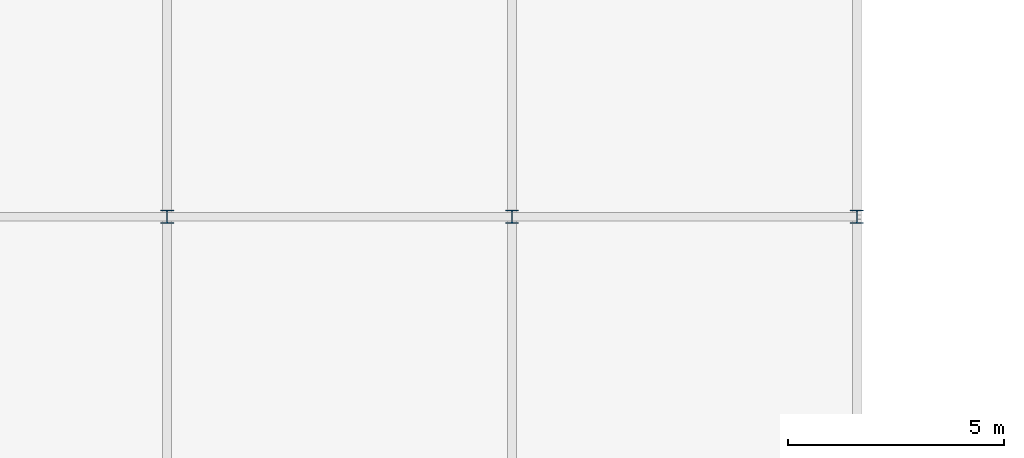
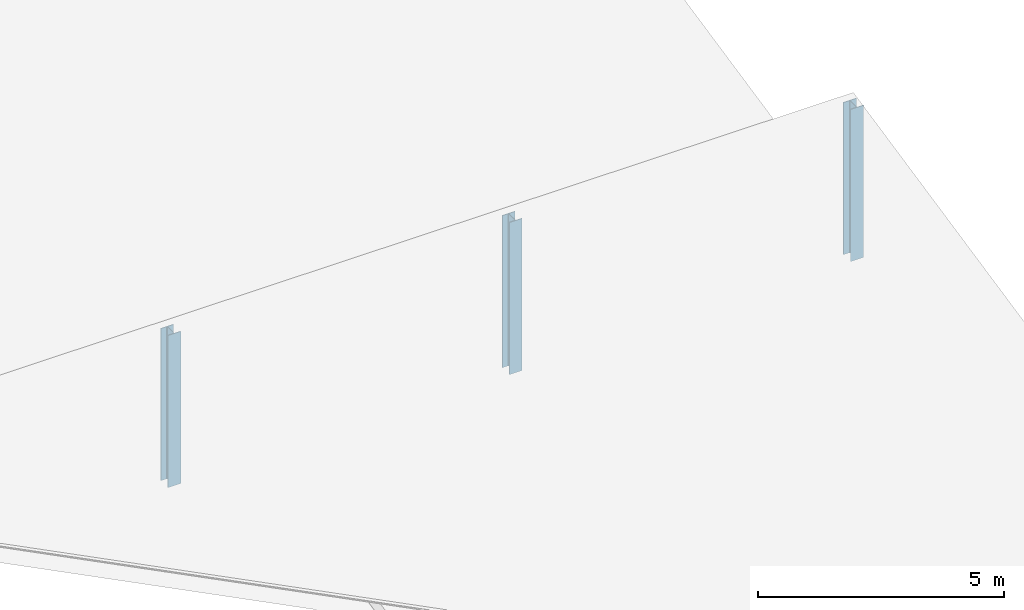
# One storey, part 2 of 45: 3 columns.
"""IFC4 building model written with IfcOpenShell, lengths in metres."""

import ifcopenshell
import ifcopenshell.guid

model = None  # the IFC model being written
_history = None  # IfcOwnerHistory: only IFC2X3 demands one
_inside = {}  # id of a spatial element -> (the spatial element, [elements in it])
_under = {}  # id of a project, library or spatial element -> (it, [spatial elements below it])
_declared = {}  # id of a project -> (the project, [libraries it declares])
_typed = {}  # id of a type object -> (the type object, [elements of that type])
_made_of = {}  # id of a material, layer set ... -> (it, [elements and type objects made of it])


def new_model(schema):
    """Start an empty IFC model of exactly this schema.

    Asked for "IFC4X3", IfcOpenShell would pick the latest addendum, in which some entities
    have other attributes; the version numbers below select the first issue.
    IFC2X3 requires an IfcOwnerHistory on every rooted entity: one is made here for all.
    """
    global model, _history
    if schema == "IFC4X3":
        model = ifcopenshell.file(schema_version=(4, 3, 0, 0))
    else:
        model = ifcopenshell.file(schema=schema)
    _inside.clear()
    _under.clear()
    _declared.clear()
    _typed.clear()
    _made_of.clear()
    _history = None
    if model.schema == "IFC2X3":
        org = make("IfcOrganization", Name="unknown")
        user = make(
            "IfcPersonAndOrganization",
            ThePerson=make("IfcPerson", FamilyName="unknown"),
            TheOrganization=org,
        )
        app = make(
            "IfcApplication",
            ApplicationDeveloper=org,
            Version="unknown",
            ApplicationFullName="unknown",
            ApplicationIdentifier="unknown",
        )
        _history = make(
            "IfcOwnerHistory",
            OwningUser=user,
            OwningApplication=app,
            ChangeAction="ADDED",
            CreationDate=0,
        )
    return model


def make(cls, **values):
    """One entity of the class cls with the attributes given. An attribute that is None is left unset."""
    return model.create_entity(
        cls, **{name: value for name, value in values.items() if value is not None}
    )


def rooted(cls, **values):
    """An entity with a GlobalId (a new one), such as an element, a storey or a relation."""
    return make(cls, GlobalId=ifcopenshell.guid.new(), OwnerHistory=_history, **values)


def si_unit(unit_type, name, prefix=None):
    """IfcSIUnit, for example si_unit("LENGTHUNIT", "METRE", prefix="MILLI")."""
    return make("IfcSIUnit", UnitType=unit_type, Prefix=prefix, Name=name)


def assignment(units):
    """IfcUnitAssignment: the units of a project."""
    return None if units is None else make("IfcUnitAssignment", Units=units)


def point(xyz):
    """IfcCartesianPoint."""
    return None if xyz is None else make("IfcCartesianPoint", Coordinates=xyz)


def direction(xyz):
    """IfcDirection."""
    return None if xyz is None else make("IfcDirection", DirectionRatios=xyz)


def frame(location, z_axis=None, x_axis=None):
    """IfcAxis2Placement3D, a coordinate frame: its origin and axes. An axis left out is left unset."""
    return make(
        "IfcAxis2Placement3D",
        Location=point(location),
        Axis=direction(z_axis),
        RefDirection=direction(x_axis),
    )


def frame_2d(location, x_axis=None):
    """IfcAxis2Placement2D, a coordinate frame in the plane: its origin and x axis."""
    return make(
        "IfcAxis2Placement2D", Location=point(location), RefDirection=direction(x_axis)
    )


def origin():
    """The frame at (0, 0, 0) with its axes left unset."""
    return frame((0.0, 0.0, 0.0))


def origin_2d():
    """The frame at (0, 0) in the plane with its x axis left unset."""
    return frame_2d((0.0, 0.0))


def place(relative_to, where):
    """IfcLocalPlacement: puts the frame where relative to a parent placement (None: the world)."""
    return make(
        "IfcLocalPlacement", PlacementRelTo=relative_to, RelativePlacement=where
    )


def context(
    kind, dimensions, precision=None, world=None, true_north=None, identifier=None
):
    """IfcGeometricRepresentationContext, for example the 3D "Model" context."""
    return make(
        "IfcGeometricRepresentationContext",
        ContextIdentifier=identifier,
        ContextType=kind,
        CoordinateSpaceDimension=dimensions,
        Precision=precision,
        WorldCoordinateSystem=world,
        TrueNorth=true_north,
    )


def subcontext(parent, identifier, kind, view, scale=None):
    """IfcGeometricRepresentationSubContext, for example "Body" below "Model"."""
    return make(
        "IfcGeometricRepresentationSubContext",
        ContextIdentifier=identifier,
        ContextType=kind,
        ParentContext=parent,
        TargetScale=scale,
        TargetView=view,
    )


def project(units=None, contexts=None):
    """IfcProject with its units and contexts."""
    return rooted(
        "IfcProject",
        Name="project",
        RepresentationContexts=contexts,
        UnitsInContext=assignment(units),
    )


def spatial(cls, under=None, at=None, **own):
    """A site, building, storey or space (cls), placed at a placement, below another one or the project."""
    s = rooted(cls, ObjectPlacement=at, **own)
    if under is not None:
        _under.setdefault(under.id(), (under, []))[1].append(s)
    return s


def profile(cls, at=None, kind="AREA", **sizes):
    """A parametric profile (cls). Its sizes go by their IFC names, for example OverallWidth=200.0."""
    return make(cls, ProfileType=kind, Position=at, **sizes)


def i_section(**sizes):
    """IfcIShapeProfileDef."""
    return profile("IfcIShapeProfileDef", **sizes)


def extrude(swept, where, along, depth):
    """IfcExtrudedAreaSolid: the profile swept, set in the frame where, extruded along a direction by depth."""
    return make(
        "IfcExtrudedAreaSolid",
        SweptArea=swept,
        Position=where,
        ExtrudedDirection=direction(along),
        Depth=depth,
    )


def shape(context_of_items, identifier, shape_type, items):
    """IfcShapeRepresentation: the items that make up one representation, for example the "Body"."""
    return make(
        "IfcShapeRepresentation",
        ContextOfItems=context_of_items,
        RepresentationIdentifier=identifier,
        RepresentationType=shape_type,
        Items=items,
    )


def material(Name=None, Category=None):
    """IfcMaterial."""
    return make("IfcMaterial", Name=Name, Category=Category)


def material_profile(
    of_material, cross_section, Name=None, Category=None, Priority=None
):
    """IfcMaterialProfile: a cross section and its material."""
    return make(
        "IfcMaterialProfile",
        Name=Name,
        Material=of_material,
        Profile=cross_section,
        Priority=Priority,
        Category=Category,
    )


def profile_set(profiles, Name=None, composite=None):
    """IfcMaterialProfileSet."""
    return make(
        "IfcMaterialProfileSet",
        Name=Name,
        MaterialProfiles=profiles,
        CompositeProfile=composite,
    )


def made_of(thing, what):
    """Note that an element or type object is made of a material, layer set ...; save() writes the relation."""
    if what is not None:
        _made_of.setdefault(what.id(), (what, []))[1].append(thing)
    return thing


def type_object(cls, material=None, **own):
    """A type object (cls), such as IfcWallType, which elements share."""
    return made_of(rooted(cls, **own), material)


def element(
    cls,
    number,
    at=None,
    inside=None,
    cuts=None,
    type_object=None,
    material=None,
    context=None,
    identifier="Body",
    shape_type=None,
    held_by="IfcProductDefinitionShape",
    body=None,
    shapes=None,
    **own,
):
    """One element of the class cls, such as IfcWall. Its Tag is "e" and its number.

    at: its placement. inside: the storey or other place that contains it. cuts: it is an
    opening in that element (IfcRelVoidsElement). A single representation is given by context,
    identifier, shape_type and body (its items); several are given by shapes. held_by: the class
    of the entity that holds the representations. save() writes the other relations.
    """
    e = rooted(cls, Tag="e%d" % number, ObjectPlacement=at, **own)
    if body is not None:
        shapes = [shape(context, identifier, shape_type, body)]
    if shapes is not None:
        e.Representation = make(held_by, Representations=shapes)
    if inside is not None:
        _inside.setdefault(inside.id(), (inside, []))[1].append(e)
    if cuts is not None:
        rooted(
            "IfcRelVoidsElement", RelatingBuildingElement=cuts, RelatedOpeningElement=e
        )
    if type_object is not None:
        _typed.setdefault(type_object.id(), (type_object, []))[1].append(e)
    return made_of(e, material)


def aggregate(whole, parts):
    """IfcRelAggregates: a whole, such as a stair, and the parts it consists of."""
    return rooted("IfcRelAggregates", RelatingObject=whole, RelatedObjects=parts)


def save(model, path):
    """Write the relations noted so far, then the file.

    IfcRelAggregates (storeys below a building ...), IfcRelContainedInSpatialStructure (elements
    in a storey), IfcRelDefinesByType, IfcRelAssociatesMaterial and IfcRelDeclares: one each for
    every whole, place, type object, material and project.
    """
    for whole, parts in _under.values():
        aggregate(whole, parts)
    for where, things in _inside.values():
        rooted(
            "IfcRelContainedInSpatialStructure",
            RelatedElements=things,
            RelatingStructure=where,
        )
    for kind, things in _typed.values():
        rooted("IfcRelDefinesByType", RelatedObjects=things, RelatingType=kind)
    for what, things in _made_of.values():
        rooted("IfcRelAssociatesMaterial", RelatedObjects=things, RelatingMaterial=what)
    for by, libraries in _declared.values():
        rooted("IfcRelDeclares", RelatingContext=by, RelatedDefinitions=libraries)
    model.write(path)


model = new_model("IFC4")

# Units and contexts
model_context = context("Model", 3, precision=1e-05, world=origin(), true_north=direction((0.0, 1.0)))
body_context = subcontext(model_context, "Body", "Model", "MODEL_VIEW")
ifc_project = project(units=[si_unit("LENGTHUNIT", "METRE"), si_unit("AREAUNIT", "SQUARE_METRE"), si_unit("VOLUMEUNIT", "CUBIC_METRE"), si_unit("PLANEANGLEUNIT", "RADIAN"), si_unit("MASSUNIT", "GRAM", prefix="KILO")], contexts=[model_context])

# Site, building, storey
site_placement = place(None, origin())
site = spatial("IfcSite", under=ifc_project, at=site_placement, CompositionType="ELEMENT")
building_placement = place(site_placement, origin())
building = spatial("IfcBuilding", under=site, at=building_placement, Name="Yukiwa Park Conservatory and Herbarium", CompositionType="ELEMENT")
storey_placement = place(building_placement, frame((0.0, 0.0, 9.0)))
storey = spatial("IfcBuildingStorey", under=building, at=storey_placement, Name="L02", CompositionType="ELEMENT", Elevation=9.0)

# Columns
ifc_material_1 = material(Name="Steel Q355D", Category="steel")
ifc_material_profile_1 = material_profile(ifc_material_1, i_section(OverallWidth=0.300048828125, OverallDepth=0.300048828125, WebThickness=0.010009765625, FlangeThickness=0.014892578125, FilletRadius=0.01806640625, at=origin_2d()), Name="HW 300x300x10x15")
ifc_profile_set_1 = profile_set([ifc_material_profile_1], Name="Steel Q355D")
column_type_1 = type_object("IfcColumnType", Name="COL-TW-HW300", PredefinedType="COLUMN", material=ifc_profile_set_1)
for number, where, z_axis, x_axis, name in (
    (1, (92.0, 31.199951171875, 0.0), (0.0, 0.0, 1.0), (1.0, 0.0, 0.0), "Concourse clerestory roof post M-5"),
    (2, (100.0, 31.199951171875, 0.0), (0.0, 0.0, 1.0), (1.0, 0.0, 0.0), "Concourse clerestory roof post M-6"),
):
    element("IfcColumn", number, at=place(storey_placement, frame(where, z_axis=z_axis, x_axis=x_axis)), inside=storey, type_object=column_type_1, Name=name, PredefinedType="COLUMN", context=body_context, shape_type="SweptSolid", body=[
        extrude(i_section(OverallWidth=0.300048828125, OverallDepth=0.300048828125, WebThickness=0.010009765625, FlangeThickness=0.014892578125, FilletRadius=0.01806640625, at=origin_2d()), origin(), (0.0, 0.0, 1.0), 3.77099609375),
    ])
ifc_material_2 = material(Name="Steel Q355D", Category="steel")
ifc_material_profile_2 = material_profile(ifc_material_2, i_section(OverallWidth=0.300048828125, OverallDepth=0.300048828125, WebThickness=0.010009765625, FlangeThickness=0.014892578125, FilletRadius=0.01806640625, at=origin_2d()), Name="HW 300x300x10x15")
ifc_profile_set_2 = profile_set([ifc_material_profile_2], Name="Steel Q355D")
column_type_2 = type_object("IfcColumnType", Name="COL-TW-HW300-EXT", PredefinedType="COLUMN", material=ifc_profile_set_2)
column_placement = place(storey_placement, frame((108.0, 31.199951171875, 0.0), z_axis=(0.0, 0.0, 1.0), x_axis=(1.0, 0.0, 0.0)))
element("IfcColumn", 3, at=column_placement, inside=storey, type_object=column_type_2, Name="Concourse clerestory roof post M-7", PredefinedType="COLUMN", context=body_context, shape_type="SweptSolid", body=[
    extrude(i_section(OverallWidth=0.300048828125, OverallDepth=0.300048828125, WebThickness=0.010009765625, FlangeThickness=0.014892578125, FilletRadius=0.01806640625, at=origin_2d()), origin(), (0.0, 0.0, 1.0), 3.77099609375),
])

save(model, "model.ifc")
